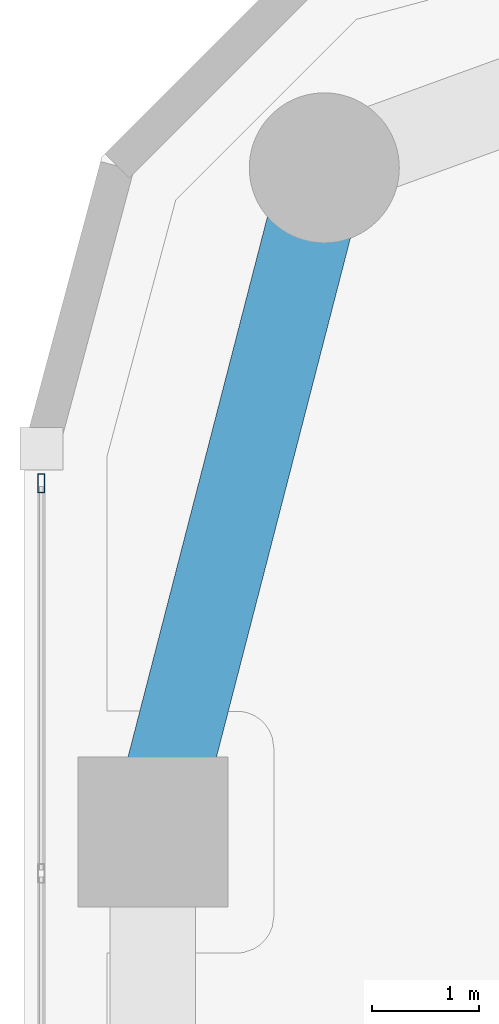
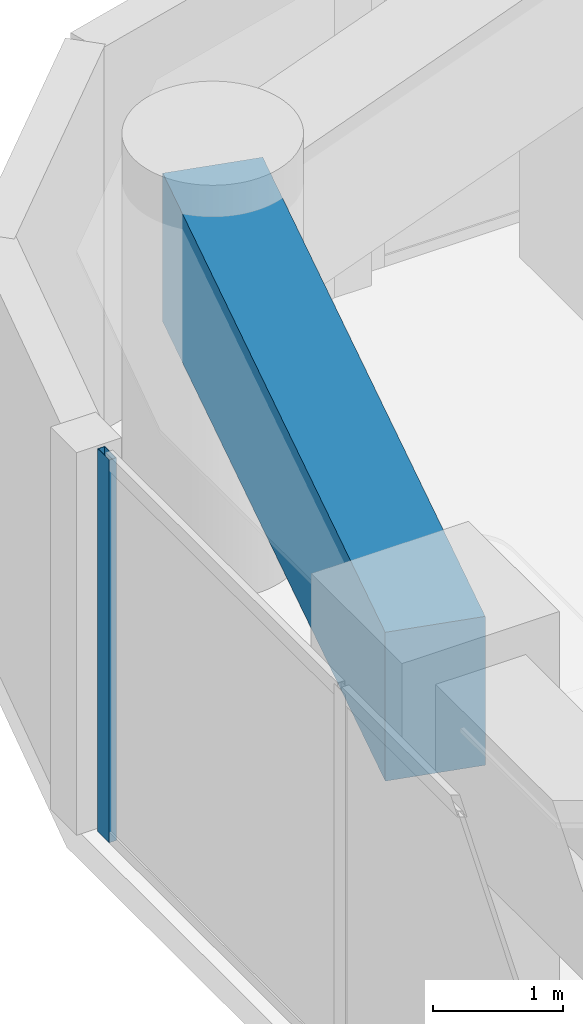
# One storey, part 11 of 25: 1 beam, 1 member, 1 element without a shape of its own.
"""IFC4 building model written with IfcOpenShell, lengths in metres."""

from ifc_helpers import new_model, si_unit, direction, frame, origin, origin_2d, place, context, subcontext, project, spatial, rectangle, hollow_rectangle, extrude, material, layer, layer_set, material_profile, profile_set, type_object, element, aggregate, save


model = new_model("IFC4")

# Units and contexts
model_context = context("Model", 3, precision=1e-05, world=origin(), true_north=direction((0.0, 1.0)))
body_context = subcontext(model_context, "Body", "Model", "MODEL_VIEW")
ifc_project = project(units=[si_unit("LENGTHUNIT", "METRE"), si_unit("AREAUNIT", "SQUARE_METRE"), si_unit("VOLUMEUNIT", "CUBIC_METRE"), si_unit("PLANEANGLEUNIT", "RADIAN"), si_unit("MASSUNIT", "GRAM", prefix="KILO")], contexts=[model_context])

# Site, building, storey
site_placement = place(None, origin())
site = spatial("IfcSite", under=ifc_project, at=site_placement, CompositionType="ELEMENT")
building_placement = place(site_placement, origin())
building = spatial("IfcBuilding", under=site, at=building_placement, Name="Kiyonajd Concourse Tower", CompositionType="ELEMENT")
storey_placement = place(building_placement, frame((0.0, 0.0, 141.60009765625)))
storey = spatial("IfcBuildingStorey", under=building, at=storey_placement, Name="L36", CompositionType="ELEMENT", Elevation=141.60009765625)

# Beam
ifc_material_1 = material(Name="Concrete C60/75", Category="concrete")
ifc_material_profile_1 = material_profile(ifc_material_1, rectangle(XDim=0.800048828125, YDim=1.39990234375, at=origin_2d()), Name="RCBM-800x1400")
ifc_profile_set_1 = profile_set([ifc_material_profile_1], Name="Concrete C60/75")
beam_type = type_object("IfcBeamType", Name="BM-XFER-RC", PredefinedType="BEAM", material=ifc_profile_set_1)
beam_placement = place(storey_placement, frame((20.800048828125, 59.60009765625, 2.89990234375), z_axis=(-0.249884937687, -0.968275538221, 0.0), x_axis=(0.968275538221, -0.249884937687, 0.0)))
element("IfcBeam", 1, at=beam_placement, inside=storey, type_object=beam_type, Name="L36 Perimeter Bundled Tube Spandrel", PredefinedType="BEAM", context=body_context, shape_type="SweptSolid", body=[
    extrude(rectangle(XDim=0.800048828125, YDim=1.39990234375, at=origin_2d()), origin(), (0.0, 0.0, 1.0), 6.4033203125),
])

# Curtain wall, member
ifc_material_2 = material(Name="Thermally Broken Anodised Aluminium", Category="aluminium")
ifc_layer = layer(ifc_material_2, 0.179931640625)
ifc_layer_set = layer_set([ifc_layer], Name="Thermally Broken Anodised Aluminium")
curtain_wall_type = type_object("IfcCurtainWallType", Name="CW-SYS-03", PredefinedType="NOTDEFINED", material=ifc_layer_set)
curtain_wall_placement = place(storey_placement, origin())
curtain_wall = element("IfcCurtainWall", 2, at=curtain_wall_placement, inside=storey, type_object=curtain_wall_type, Name="L36 Unitised Curtain Wall CW3", PredefinedType="NOTDEFINED")
ifc_material_profile_2 = material_profile(ifc_material_2, hollow_rectangle(XDim=0.06494140625, YDim=0.179931640625, WallThickness=0.00390625, at=origin_2d()), Name="MULL-65x180")
ifc_profile_set_2 = profile_set([ifc_material_profile_2], Name="Thermally Broken Anodised Aluminium")
member_type = type_object("IfcMemberType", Name="MB-CW-MULL1", PredefinedType="MULLION", material=ifc_profile_set_2)
member_placement = place(storey_placement, frame((18.159912109375, 56.656494140625, 0.0), z_axis=(0.0, 0.0, 1.0), x_axis=(-1.0, 0.0, 0.0)))
member = element("IfcMember", 3, at=member_placement, type_object=member_type, Name="CW3 mullion 7", PredefinedType="MULLION", context=body_context, shape_type="SweptSolid", body=[
    extrude(hollow_rectangle(XDim=0.06494140625, YDim=0.179931640625, WallThickness=0.00390625, at=origin_2d()), origin(), (0.0, 0.0, 1.0), 3.599853515625),
])
aggregate(curtain_wall, [member])

save(model, "model.ifc")
